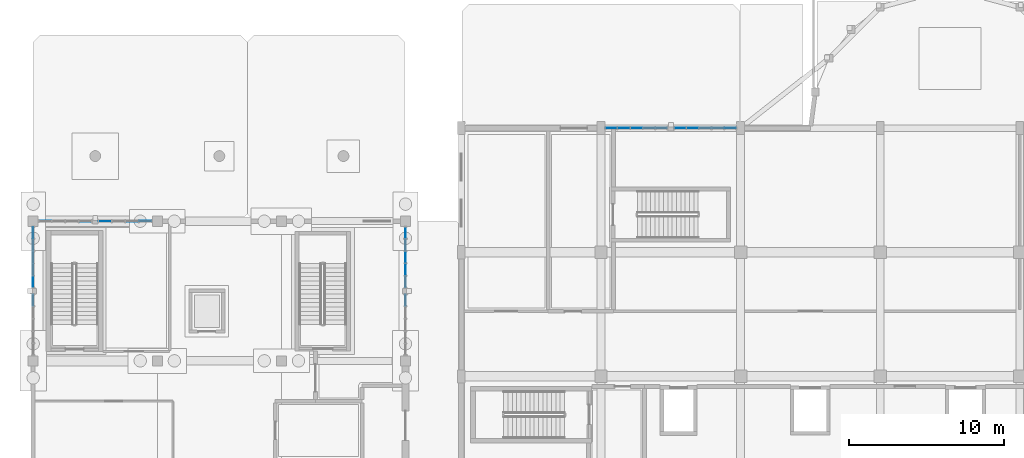
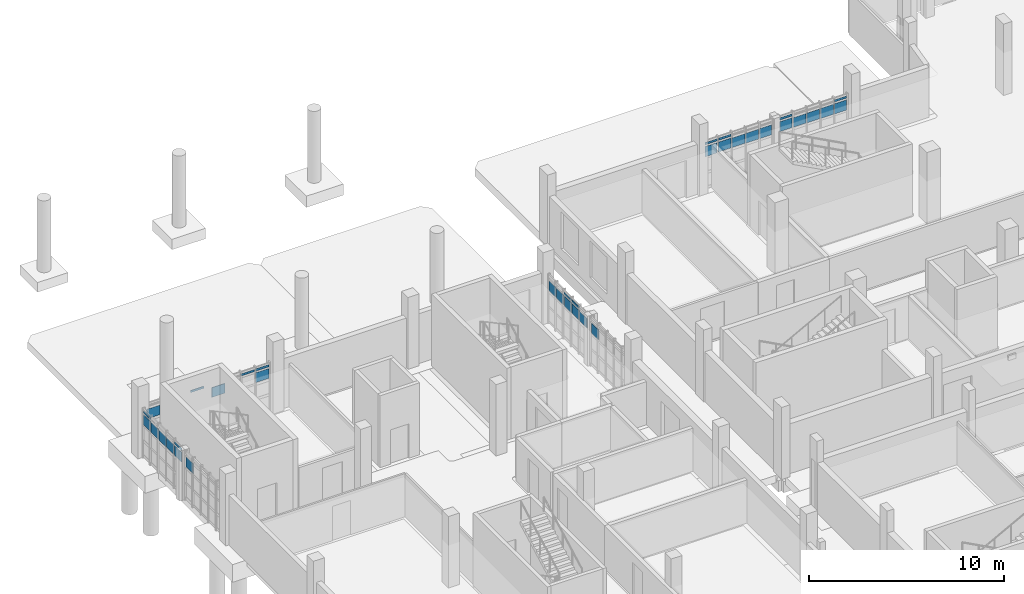
# One storey, part 39 of 63: 36 plates, 8 elements without a shape of their own.
"""IFC4 building model written with IfcOpenShell, lengths in metres."""

from ifc_helpers import new_model, si_unit, direction, frame, origin, origin_2d, place, context, subcontext, project, spatial, rectangle, extrude, material, layer, layer_set, type_object, element, aggregate, save


model = new_model("IFC4")

# Units and contexts
model_context = context("Model", 3, precision=1e-05, world=origin(), true_north=direction((0.0, 1.0)))
body_context = subcontext(model_context, "Body", "Model", "MODEL_VIEW")
ifc_project = project(units=[si_unit("LENGTHUNIT", "METRE"), si_unit("AREAUNIT", "SQUARE_METRE"), si_unit("VOLUMEUNIT", "CUBIC_METRE"), si_unit("PLANEANGLEUNIT", "RADIAN"), si_unit("MASSUNIT", "GRAM", prefix="KILO")], contexts=[model_context])

# Site, building, storey
site_placement = place(None, origin())
site = spatial("IfcSite", under=ifc_project, at=site_placement, CompositionType="ELEMENT")
building_placement = place(site_placement, origin())
building = spatial("IfcBuilding", under=site, at=building_placement, Name="Serraforn Aerial Cableway Station", CompositionType="ELEMENT")
storey_placement = place(building_placement, origin())
storey = spatial("IfcBuildingStorey", under=building, at=storey_placement, Name="L00", CompositionType="ELEMENT", Elevation=0.0)

# Curtain wall, plate
ifc_material_1 = material(Name="Anodised bronze unitised curtain wall")
curtain_wall_type_1 = type_object("IfcCurtainWallType", Name="CW-SYS-10", PredefinedType="USERDEFINED", material=ifc_material_1)
curtain_wall_1_placement = place(storey_placement, origin())
curtain_wall_1 = element("IfcCurtainWall", 1, at=curtain_wall_1_placement, inside=storey, type_object=curtain_wall_type_1, Name="Unitised Curtain Wall CW-W-L00-E4B", ObjectType="UNITISED CURTAIN WALL", PredefinedType="USERDEFINED")
ifc_material_2 = material(Name="Solar-control low-E double glazing", Category="glass")
ifc_layer_1 = layer(ifc_material_2, 0.02587890625)
ifc_layer_set_1 = layer_set([ifc_layer_1], Name="Solar-control low-E double glazing")
plate_type_1 = type_object("IfcPlateType", Name="CW-GLZ-1", PredefinedType="CURTAIN_PANEL", material=ifc_layer_set_1)
plate_1_placement = place(storey_placement, frame((24.0, 35.2685546875, 2.062255859375), z_axis=(0.0, 0.0, 1.0), x_axis=(1.0, 0.0, 0.0)))
plate_1 = element("IfcPlate", 2, at=plate_1_placement, type_object=plate_type_1, Name="Curtain Wall Panel CW-W-L00-E4B-P5-3", PredefinedType="CURTAIN_PANEL", context=body_context, shape_type="SweptSolid", body=[
    extrude(rectangle(XDim=0.02587890625, YDim=0.7109375, at=origin_2d()), origin(), (0.0, 0.0, 1.0), 0.6103515625),
])

curtain_wall_type_2 = type_object("IfcCurtainWallType", Name="CW-SYS-1", PredefinedType="USERDEFINED", material=ifc_material_1)
curtain_wall_2_placement = place(storey_placement, origin())
curtain_wall_2 = element("IfcCurtainWall", 3, at=curtain_wall_2_placement, inside=storey, type_object=curtain_wall_type_2, Name="Unitised Curtain Wall CW-CV-L00-N2A", ObjectType="UNITISED CURTAIN WALL", PredefinedType="USERDEFINED")
plate_2_placement = place(storey_placement, frame((41.70458984375, 42.0, 2.798583984375), z_axis=(0.0, 0.0, 1.0), x_axis=(1.0, 0.0, 0.0)))
plate_2 = element("IfcPlate", 4, at=plate_2_placement, type_object=plate_type_1, Name="Curtain Wall Panel CW-CV-L00-N2A-P5-4", PredefinedType="CURTAIN_PANEL", context=body_context, shape_type="SweptSolid", body=[
    extrude(rectangle(XDim=0.723388671875, YDim=0.02587890625, at=origin_2d()), origin(), (0.0, 0.0, 1.0), 0.138671875),
])

# Curtain wall, plates
curtain_wall_type_3 = type_object("IfcCurtainWallType", Name="CW-SYS-2", PredefinedType="USERDEFINED", material=ifc_material_1)
curtain_wall_3_placement = place(storey_placement, origin())
curtain_wall_3 = element("IfcCurtainWall", 5, at=curtain_wall_3_placement, inside=storey, type_object=curtain_wall_type_3, Name="Unitised Curtain Wall CW-CV-L00-N2B", ObjectType="UNITISED CURTAIN WALL", PredefinedType="USERDEFINED")
plate_3_placement = place(storey_placement, frame((38.07080078125, 42.0, 2.798583984375), z_axis=(0.0, 0.0, 1.0), x_axis=(1.0, 0.0, 0.0)))
plate_3 = element("IfcPlate", 6, at=plate_3_placement, type_object=plate_type_1, Name="Curtain Wall Panel CW-CV-L00-N2B-P4-4", PredefinedType="CURTAIN_PANEL", context=body_context, shape_type="SweptSolid", body=[
    extrude(rectangle(XDim=0.755859375, YDim=0.02587890625, at=origin_2d()), origin(), (0.0, 0.0, 1.0), 0.138671875),
])
plate_4_placement = place(storey_placement, frame((37.27392578125, 42.0, 2.0498046875), z_axis=(0.0, 0.0, 1.0), x_axis=(1.0, 0.0, 0.0)))
plate_4 = element("IfcPlate", 7, at=plate_4_placement, type_object=plate_type_1, Name="Curtain Wall Panel CW-CV-L00-N2B-P5-3", PredefinedType="CURTAIN_PANEL", context=body_context, shape_type="SweptSolid", body=[
    extrude(rectangle(XDim=0.7158203125, YDim=0.02587890625, at=origin_2d()), origin(), (0.0, 0.0, 1.0), 0.6376953125),
])

# Curtain wall, plate
curtain_wall_type_4 = type_object("IfcCurtainWallType", Name="CW-SYS-7", PredefinedType="USERDEFINED", material=ifc_material_1)
curtain_wall_4_placement = place(storey_placement, origin())
curtain_wall_4 = element("IfcCurtainWall", 8, at=curtain_wall_4_placement, inside=storey, type_object=curtain_wall_type_4, Name="Unitised Curtain Wall CW-W-L00-W4A", ObjectType="UNITISED CURTAIN WALL", PredefinedType="USERDEFINED")
ifc_layer_2 = layer(ifc_material_2, 0.028076171875)
ifc_layer_set_2 = layer_set([ifc_layer_2], Name="Solar-control low-E double glazing")
plate_type_2 = type_object("IfcPlateType", Name="CW-GLZ-2", PredefinedType="CURTAIN_PANEL", material=ifc_layer_set_2)
plate_5_placement = place(storey_placement, frame((0.0, 35.26220703125, 2.0498046875), z_axis=(0.0, 0.0, 1.0), x_axis=(1.0, 0.0, 0.0)))
plate_5 = element("IfcPlate", 9, at=plate_5_placement, type_object=plate_type_2, Name="Curtain Wall Panel CW-W-L00-W4A-P1-3", PredefinedType="CURTAIN_PANEL", context=body_context, shape_type="SweptSolid", body=[
    extrude(rectangle(XDim=0.028076171875, YDim=0.703369140625, at=origin_2d()), origin(), (0.0, 0.0, 1.0), 0.6376953125),
])

# Plate
plate_6_placement = place(storey_placement, frame((37.27392578125, 42.0, 2.8037109375), z_axis=(0.0, 0.0, 1.0), x_axis=(1.0, 0.0, 0.0)))
plate_6 = element("IfcPlate", 10, at=plate_6_placement, type_object=plate_type_2, Name="Curtain Wall Panel CW-CV-L00-N2B-P5-4", PredefinedType="CURTAIN_PANEL", context=body_context, shape_type="SweptSolid", body=[
    extrude(rectangle(XDim=0.7158203125, YDim=0.028076171875, at=origin_2d()), origin(), (0.0, 0.0, 1.0), 0.126220703125),
])

ifc_layer_3 = layer(ifc_material_2, 0.030029296875)
ifc_layer_set_3 = layer_set([ifc_layer_3], Name="Solar-control low-E double glazing")
plate_type_3 = type_object("IfcPlateType", Name="CW-GLZ-3", PredefinedType="CURTAIN_PANEL", material=ifc_layer_set_3)
plate_7_placement = place(storey_placement, frame((0.0, 35.26220703125, 2.8037109375), z_axis=(0.0, 0.0, 1.0), x_axis=(1.0, 0.0, 0.0)))
plate_7 = element("IfcPlate", 11, at=plate_7_placement, type_object=plate_type_3, Name="Curtain Wall Panel CW-W-L00-W4A-P1-4", PredefinedType="CURTAIN_PANEL", context=body_context, shape_type="SweptSolid", body=[
    extrude(rectangle(XDim=0.030029296875, YDim=0.703369140625, at=origin_2d()), origin(), (0.0, 0.0, 1.0), 0.126220703125),
])

plate_8_placement = place(storey_placement, frame((0.0, 34.47900390625, 2.0546875), z_axis=(0.0, 0.0, 1.0), x_axis=(1.0, 0.0, 0.0)))
plate_8 = element("IfcPlate", 12, at=plate_8_placement, type_object=plate_type_3, Name="Curtain Wall Panel CW-W-L00-W4A-P2-3", PredefinedType="CURTAIN_PANEL", context=body_context, shape_type="SweptSolid", body=[
    extrude(rectangle(XDim=0.030029296875, YDim=0.73095703125, at=origin_2d()), origin(), (0.0, 0.0, 1.0), 0.625244140625),
])

# Curtain wall, plate
curtain_wall_type_5 = type_object("IfcCurtainWallType", Name="CW-SYS-8", PredefinedType="USERDEFINED", material=ifc_material_1)
curtain_wall_5_placement = place(storey_placement, origin())
curtain_wall_5 = element("IfcCurtainWall", 13, at=curtain_wall_5_placement, inside=storey, type_object=curtain_wall_type_5, Name="Unitised Curtain Wall CW-W-L00-W4B", ObjectType="UNITISED CURTAIN WALL", PredefinedType="USERDEFINED")
plate_9_placement = place(storey_placement, frame((0.0, 30.904052734375, 2.0546875), z_axis=(0.0, 0.0, 1.0), x_axis=(1.0, 0.0, 0.0)))
plate_9 = element("IfcPlate", 14, at=plate_9_placement, type_object=plate_type_3, Name="Curtain Wall Panel CW-W-L00-W4B-P1-3", PredefinedType="CURTAIN_PANEL", context=body_context, shape_type="SweptSolid", body=[
    extrude(rectangle(XDim=0.030029296875, YDim=0.69580078125, at=origin_2d()), origin(), (0.0, 0.0, 1.0), 0.625244140625),
])
aggregate(curtain_wall_5, [plate_9])

curtain_wall_6_placement = place(storey_placement, origin())
curtain_wall_6 = element("IfcCurtainWall", 15, at=curtain_wall_6_placement, inside=storey, type_object=curtain_wall_type_2, Name="Unitised Curtain Wall CW-W-L00-N1A", ObjectType="UNITISED CURTAIN WALL", PredefinedType="USERDEFINED")
ifc_layer_4 = layer(ifc_material_2, 0.031982421875)
ifc_layer_set_4 = layer_set([ifc_layer_4], Name="Solar-control low-E double glazing")
plate_type_4 = type_object("IfcPlateType", Name="CW-GLZ-4", PredefinedType="CURTAIN_PANEL", material=ifc_layer_set_4)
plate_10_placement = place(storey_placement, frame((7.22607421875, 36.0, 2.077392578125), z_axis=(0.0, 0.0, 1.0), x_axis=(1.0, 0.0, 0.0)))
plate_10 = element("IfcPlate", 16, at=plate_10_placement, type_object=plate_type_4, Name="Curtain Wall Panel CW-W-L00-N1A-P1-3", PredefinedType="CURTAIN_PANEL", context=body_context, shape_type="SweptSolid", body=[
    extrude(rectangle(XDim=0.78564453125, YDim=0.031982421875, at=origin_2d()), origin(), (0.0, 0.0, 1.0), 0.615234375),
])

# Plate
plate_11_placement = place(storey_placement, frame((0.0, 33.673583984375, 2.062255859375), z_axis=(0.0, 0.0, 1.0), x_axis=(1.0, 0.0, 0.0)))
plate_11 = element("IfcPlate", 17, at=plate_11_placement, type_object=plate_type_4, Name="Curtain Wall Panel CW-W-L00-W4A-P3-3", PredefinedType="CURTAIN_PANEL", context=body_context, shape_type="SweptSolid", body=[
    extrude(rectangle(XDim=0.031982421875, YDim=0.73828125, at=origin_2d()), origin(), (0.0, 0.0, 1.0), 0.6103515625),
])

plate_12_placement = place(storey_placement, frame((44.9296875, 42.0, 2.0498046875), z_axis=(0.0, 0.0, 1.0), x_axis=(1.0, 0.0, 0.0)))
plate_12 = element("IfcPlate", 18, at=plate_12_placement, type_object=plate_type_4, Name="Curtain Wall Panel CW-CV-L00-N2A-P1-3", PredefinedType="CURTAIN_PANEL", context=body_context, shape_type="SweptSolid", body=[
    extrude(rectangle(XDim=0.718505859375, YDim=0.031982421875, at=origin_2d()), origin(), (0.0, 0.0, 1.0), 0.6376953125),
])

ifc_layer_5 = layer(ifc_material_2, 0.033935546875)
ifc_layer_set_5 = layer_set([ifc_layer_5], Name="Solar-control low-E double glazing")
plate_type_5 = type_object("IfcPlateType", Name="CW-GLZ-5", PredefinedType="CURTAIN_PANEL", material=ifc_layer_set_5)
plate_13_placement = place(storey_placement, frame((7.22607421875, 36.0, 2.798583984375), z_axis=(0.0, 0.0, 1.0), x_axis=(1.0, 0.0, 0.0)))
plate_13 = element("IfcPlate", 19, at=plate_13_placement, type_object=plate_type_5, Name="Curtain Wall Panel CW-W-L00-N1A-P1-4", PredefinedType="CURTAIN_PANEL", context=body_context, shape_type="SweptSolid", body=[
    extrude(rectangle(XDim=0.78564453125, YDim=0.033935546875, at=origin_2d()), origin(), (0.0, 0.0, 1.0), 0.138671875),
])

plate_14_placement = place(storey_placement, frame((0.0, 32.88037109375, 2.06982421875), z_axis=(0.0, 0.0, 1.0), x_axis=(1.0, 0.0, 0.0)))
plate_14 = element("IfcPlate", 20, at=plate_14_placement, type_object=plate_type_5, Name="Curtain Wall Panel CW-W-L00-W4A-P4-3", PredefinedType="CURTAIN_PANEL", context=body_context, shape_type="SweptSolid", body=[
    extrude(rectangle(XDim=0.033935546875, YDim=0.745849609375, at=origin_2d()), origin(), (0.0, 0.0, 1.0), 0.59521484375),
])

plate_15_placement = place(storey_placement, frame((24.0, 32.09228515625, 2.06982421875), z_axis=(0.0, 0.0, 1.0), x_axis=(1.0, 0.0, 0.0)))
plate_15 = element("IfcPlate", 21, at=plate_15_placement, type_object=plate_type_5, Name="Curtain Wall Panel CW-W-L00-E4B-P1-3", PredefinedType="CURTAIN_PANEL", context=body_context, shape_type="SweptSolid", body=[
    extrude(rectangle(XDim=0.033935546875, YDim=0.718505859375, at=origin_2d()), origin(), (0.0, 0.0, 1.0), 0.59521484375),
])

plate_16_placement = place(storey_placement, frame((44.9296875, 42.0, 2.8037109375), z_axis=(0.0, 0.0, 1.0), x_axis=(1.0, 0.0, 0.0)))
plate_16 = element("IfcPlate", 22, at=plate_16_placement, type_object=plate_type_5, Name="Curtain Wall Panel CW-CV-L00-N2A-P1-4", PredefinedType="CURTAIN_PANEL", context=body_context, shape_type="SweptSolid", body=[
    extrude(rectangle(XDim=0.718505859375, YDim=0.033935546875, at=origin_2d()), origin(), (0.0, 0.0, 1.0), 0.126220703125),
])

plate_17_placement = place(storey_placement, frame((44.131591796875, 42.0, 2.0546875), z_axis=(0.0, 0.0, 1.0), x_axis=(1.0, 0.0, 0.0)))
plate_17 = element("IfcPlate", 23, at=plate_17_placement, type_object=plate_type_5, Name="Curtain Wall Panel CW-CV-L00-N2A-P2-3", PredefinedType="CURTAIN_PANEL", context=body_context, shape_type="SweptSolid", body=[
    extrude(rectangle(XDim=0.745849609375, YDim=0.033935546875, at=origin_2d()), origin(), (0.0, 0.0, 1.0), 0.625244140625),
])

plate_18_placement = place(storey_placement, frame((40.49658203125, 42.0, 2.0546875), z_axis=(0.0, 0.0, 1.0), x_axis=(1.0, 0.0, 0.0)))
plate_18 = element("IfcPlate", 24, at=plate_18_placement, type_object=plate_type_5, Name="Curtain Wall Panel CW-CV-L00-N2B-P1-3", PredefinedType="CURTAIN_PANEL", context=body_context, shape_type="SweptSolid", body=[
    extrude(rectangle(XDim=0.7109375, YDim=0.033935546875, at=origin_2d()), origin(), (0.0, 0.0, 1.0), 0.625244140625),
])

ifc_layer_6 = layer(ifc_material_2, 0.035888671875)
ifc_layer_set_6 = layer_set([ifc_layer_6], Name="Solar-control low-E double glazing")
plate_type_6 = type_object("IfcPlateType", Name="CW-GLZ-6", PredefinedType="CURTAIN_PANEL", material=ifc_layer_set_6)
plate_19_placement = place(storey_placement, frame((6.366943359375, 36.0, 2.8037109375), z_axis=(0.0, 0.0, 1.0), x_axis=(1.0, 0.0, 0.0)))
plate_19 = element("IfcPlate", 25, at=plate_19_placement, type_object=plate_type_6, Name="Curtain Wall Panel CW-W-L00-N1A-P2-4", PredefinedType="CURTAIN_PANEL", context=body_context, shape_type="SweptSolid", body=[
    extrude(rectangle(XDim=0.810791015625, YDim=0.035888671875, at=origin_2d()), origin(), (0.0, 0.0, 1.0), 0.126220703125),
])

# Curtain wall, plate
curtain_wall_7_placement = place(storey_placement, origin())
curtain_wall_7 = element("IfcCurtainWall", 26, at=curtain_wall_7_placement, inside=storey, type_object=curtain_wall_type_3, Name="Unitised Curtain Wall CW-W-L00-N1B", ObjectType="UNITISED CURTAIN WALL", PredefinedType="USERDEFINED")
plate_20_placement = place(storey_placement, frame((3.367919921875, 36.0, 2.8037109375), z_axis=(0.0, 0.0, 1.0), x_axis=(1.0, 0.0, 0.0)))
plate_20 = element("IfcPlate", 27, at=plate_20_placement, type_object=plate_type_6, Name="Curtain Wall Panel CW-W-L00-N1B-P1-4", PredefinedType="CURTAIN_PANEL", context=body_context, shape_type="SweptSolid", body=[
    extrude(rectangle(XDim=0.7783203125, YDim=0.035888671875, at=origin_2d()), origin(), (0.0, 0.0, 1.0), 0.126220703125),
])

# Plate
plate_21_placement = place(storey_placement, frame((0.0, 32.09716796875, 2.077392578125), z_axis=(0.0, 0.0, 1.0), x_axis=(1.0, 0.0, 0.0)))
plate_21 = element("IfcPlate", 28, at=plate_21_placement, type_object=plate_type_6, Name="Curtain Wall Panel CW-W-L00-W4A-P5-3", PredefinedType="CURTAIN_PANEL", context=body_context, shape_type="SweptSolid", body=[
    extrude(rectangle(XDim=0.035888671875, YDim=0.70849609375, at=origin_2d()), origin(), (0.0, 0.0, 1.0), 0.615234375),
])

plate_22_placement = place(storey_placement, frame((24.0, 32.8779296875, 2.077392578125), z_axis=(0.0, 0.0, 1.0), x_axis=(1.0, 0.0, 0.0)))
plate_22 = element("IfcPlate", 29, at=plate_22_placement, type_object=plate_type_6, Name="Curtain Wall Panel CW-W-L00-E4B-P2-3", PredefinedType="CURTAIN_PANEL", context=body_context, shape_type="SweptSolid", body=[
    extrude(rectangle(XDim=0.035888671875, YDim=0.740966796875, at=origin_2d()), origin(), (0.0, 0.0, 1.0), 0.615234375),
])

plate_23_placement = place(storey_placement, frame((43.31103515625, 42.0, 2.062255859375), z_axis=(0.0, 0.0, 1.0), x_axis=(1.0, 0.0, 0.0)))
plate_23 = element("IfcPlate", 30, at=plate_23_placement, type_object=plate_type_6, Name="Curtain Wall Panel CW-CV-L00-N2A-P3-3", PredefinedType="CURTAIN_PANEL", context=body_context, shape_type="SweptSolid", body=[
    extrude(rectangle(XDim=0.75341796875, YDim=0.035888671875, at=origin_2d()), origin(), (0.0, 0.0, 1.0), 0.6103515625),
])

plate_24_placement = place(storey_placement, frame((39.693359375, 42.0, 2.062255859375), z_axis=(0.0, 0.0, 1.0), x_axis=(1.0, 0.0, 0.0)))
plate_24 = element("IfcPlate", 31, at=plate_24_placement, type_object=plate_type_6, Name="Curtain Wall Panel CW-CV-L00-N2B-P2-3", PredefinedType="CURTAIN_PANEL", context=body_context, shape_type="SweptSolid", body=[
    extrude(rectangle(XDim=0.75341796875, YDim=0.035888671875, at=origin_2d()), origin(), (0.0, 0.0, 1.0), 0.6103515625),
])

ifc_layer_7 = layer(ifc_material_2, 0.029052734375)
ifc_layer_set_7 = layer_set([ifc_layer_7], Name="Solar-control low-E double glazing")
plate_type_7 = type_object("IfcPlateType", Name="CW-GLZ-7", PredefinedType="CURTAIN_PANEL", material=ifc_layer_set_7)
plate_25_placement = place(storey_placement, frame((4.6259765625, 36.0, 2.062255859375), z_axis=(0.0, 0.0, 1.0), x_axis=(1.0, 0.0, 0.0)))
plate_25 = element("IfcPlate", 32, at=plate_25_placement, type_object=plate_type_7, Name="Curtain Wall Panel CW-W-L00-N1A-P4-3", PredefinedType="CURTAIN_PANEL", context=body_context, shape_type="SweptSolid", body=[
    extrude(rectangle(XDim=0.78564453125, YDim=0.029052734375, at=origin_2d()), origin(), (0.0, 0.0, 1.0), 0.6103515625),
])

aggregate(curtain_wall_6, [plate_10, plate_13, plate_19, plate_25])

plate_26_placement = place(storey_placement, frame((0.0, 32.09716796875, 2.798583984375), z_axis=(0.0, 0.0, 1.0), x_axis=(1.0, 0.0, 0.0)))
plate_26 = element("IfcPlate", 33, at=plate_26_placement, type_object=plate_type_7, Name="Curtain Wall Panel CW-W-L00-W4A-P5-4", PredefinedType="CURTAIN_PANEL", context=body_context, shape_type="SweptSolid", body=[
    extrude(rectangle(XDim=0.029052734375, YDim=0.70849609375, at=origin_2d()), origin(), (0.0, 0.0, 1.0), 0.138671875),
])

aggregate(curtain_wall_4, [plate_5, plate_7, plate_8, plate_11, plate_14, plate_21, plate_26])

plate_27_placement = place(storey_placement, frame((24.0, 32.8779296875, 2.798583984375), z_axis=(0.0, 0.0, 1.0), x_axis=(1.0, 0.0, 0.0)))
plate_27 = element("IfcPlate", 34, at=plate_27_placement, type_object=plate_type_7, Name="Curtain Wall Panel CW-W-L00-E4B-P2-4", PredefinedType="CURTAIN_PANEL", context=body_context, shape_type="SweptSolid", body=[
    extrude(rectangle(XDim=0.029052734375, YDim=0.740966796875, at=origin_2d()), origin(), (0.0, 0.0, 1.0), 0.138671875),
])

plate_28_placement = place(storey_placement, frame((24.0, 33.67724609375, 2.0498046875), z_axis=(0.0, 0.0, 1.0), x_axis=(1.0, 0.0, 0.0)))
plate_28 = element("IfcPlate", 35, at=plate_28_placement, type_object=plate_type_7, Name="Curtain Wall Panel CW-W-L00-E4B-P3-3", PredefinedType="CURTAIN_PANEL", context=body_context, shape_type="SweptSolid", body=[
    extrude(rectangle(XDim=0.029052734375, YDim=0.73583984375, at=origin_2d()), origin(), (0.0, 0.0, 1.0), 0.6376953125),
])

plate_29_placement = place(storey_placement, frame((42.5029296875, 42.0, 2.06982421875), z_axis=(0.0, 0.0, 1.0), x_axis=(1.0, 0.0, 0.0)))
plate_29 = element("IfcPlate", 36, at=plate_29_placement, type_object=plate_type_7, Name="Curtain Wall Panel CW-CV-L00-N2A-P4-3", PredefinedType="CURTAIN_PANEL", context=body_context, shape_type="SweptSolid", body=[
    extrude(rectangle(XDim=0.760986328125, YDim=0.029052734375, at=origin_2d()), origin(), (0.0, 0.0, 1.0), 0.59521484375),
])

plate_30_placement = place(storey_placement, frame((38.88525390625, 42.0, 2.06982421875), z_axis=(0.0, 0.0, 1.0), x_axis=(1.0, 0.0, 0.0)))
plate_30 = element("IfcPlate", 37, at=plate_30_placement, type_object=plate_type_7, Name="Curtain Wall Panel CW-CV-L00-N2B-P3-3", PredefinedType="CURTAIN_PANEL", context=body_context, shape_type="SweptSolid", body=[
    extrude(rectangle(XDim=0.760986328125, YDim=0.029052734375, at=origin_2d()), origin(), (0.0, 0.0, 1.0), 0.59521484375),
])

ifc_layer_8 = layer(ifc_material_2, 0.031005859375)
ifc_layer_set_8 = layer_set([ifc_layer_8], Name="Solar-control low-E double glazing")
plate_type_8 = type_object("IfcPlateType", Name="CW-GLZ-8", PredefinedType="CURTAIN_PANEL", material=ifc_layer_set_8)
plate_31_placement = place(storey_placement, frame((0.7763671875, 36.0, 2.06982421875), z_axis=(0.0, 0.0, 1.0), x_axis=(1.0, 0.0, 0.0)))
plate_31 = element("IfcPlate", 38, at=plate_31_placement, type_object=plate_type_8, Name="Curtain Wall Panel CW-W-L00-N1B-P4-3", PredefinedType="CURTAIN_PANEL", context=body_context, shape_type="SweptSolid", body=[
    extrude(rectangle(XDim=0.790771484375, YDim=0.031005859375, at=origin_2d()), origin(), (0.0, 0.0, 1.0), 0.59521484375),
])

aggregate(curtain_wall_7, [plate_20, plate_31])

# Curtain wall, plate
curtain_wall_type_6 = type_object("IfcCurtainWallType", Name="CW-SYS-9", PredefinedType="USERDEFINED", material=ifc_material_1)
curtain_wall_8_placement = place(storey_placement, origin())
curtain_wall_8 = element("IfcCurtainWall", 39, at=curtain_wall_8_placement, inside=storey, type_object=curtain_wall_type_6, Name="Unitised Curtain Wall CW-W-L00-E4A", ObjectType="UNITISED CURTAIN WALL", PredefinedType="USERDEFINED")
plate_32_placement = place(storey_placement, frame((24.0, 30.900390625, 2.0546875), z_axis=(0.0, 0.0, 1.0), x_axis=(1.0, 0.0, 0.0)))
plate_32 = element("IfcPlate", 40, at=plate_32_placement, type_object=plate_type_8, Name="Curtain Wall Panel CW-W-L00-E4A-P5-3", PredefinedType="CURTAIN_PANEL", context=body_context, shape_type="SweptSolid", body=[
    extrude(rectangle(XDim=0.031005859375, YDim=0.693359375, at=origin_2d()), origin(), (0.0, 0.0, 1.0), 0.625244140625),
])
aggregate(curtain_wall_8, [plate_32])

# Plate
plate_33_placement = place(storey_placement, frame((24.0, 33.67724609375, 2.8037109375), z_axis=(0.0, 0.0, 1.0), x_axis=(1.0, 0.0, 0.0)))
plate_33 = element("IfcPlate", 41, at=plate_33_placement, type_object=plate_type_8, Name="Curtain Wall Panel CW-W-L00-E4B-P3-4", PredefinedType="CURTAIN_PANEL", context=body_context, shape_type="SweptSolid", body=[
    extrude(rectangle(XDim=0.031005859375, YDim=0.73583984375, at=origin_2d()), origin(), (0.0, 0.0, 1.0), 0.126220703125),
])

plate_34_placement = place(storey_placement, frame((24.0, 34.4765625, 2.0546875), z_axis=(0.0, 0.0, 1.0), x_axis=(1.0, 0.0, 0.0)))
plate_34 = element("IfcPlate", 42, at=plate_34_placement, type_object=plate_type_8, Name="Curtain Wall Panel CW-W-L00-E4B-P4-3", PredefinedType="CURTAIN_PANEL", context=body_context, shape_type="SweptSolid", body=[
    extrude(rectangle(XDim=0.031005859375, YDim=0.73095703125, at=origin_2d()), origin(), (0.0, 0.0, 1.0), 0.625244140625),
])

aggregate(curtain_wall_1, [plate_15, plate_22, plate_27, plate_28, plate_33, plate_34, plate_1])

plate_35_placement = place(storey_placement, frame((41.70458984375, 42.0, 2.077392578125), z_axis=(0.0, 0.0, 1.0), x_axis=(1.0, 0.0, 0.0)))
plate_35 = element("IfcPlate", 43, at=plate_35_placement, type_object=plate_type_8, Name="Curtain Wall Panel CW-CV-L00-N2A-P5-3", PredefinedType="CURTAIN_PANEL", context=body_context, shape_type="SweptSolid", body=[
    extrude(rectangle(XDim=0.723388671875, YDim=0.031005859375, at=origin_2d()), origin(), (0.0, 0.0, 1.0), 0.615234375),
])

aggregate(curtain_wall_2, [plate_12, plate_16, plate_17, plate_23, plate_29, plate_35, plate_2])

plate_36_placement = place(storey_placement, frame((38.07080078125, 42.0, 2.077392578125), z_axis=(0.0, 0.0, 1.0), x_axis=(1.0, 0.0, 0.0)))
plate_36 = element("IfcPlate", 44, at=plate_36_placement, type_object=plate_type_8, Name="Curtain Wall Panel CW-CV-L00-N2B-P4-3", PredefinedType="CURTAIN_PANEL", context=body_context, shape_type="SweptSolid", body=[
    extrude(rectangle(XDim=0.755859375, YDim=0.031005859375, at=origin_2d()), origin(), (0.0, 0.0, 1.0), 0.615234375),
])

aggregate(curtain_wall_3, [plate_18, plate_24, plate_30, plate_36, plate_3, plate_4, plate_6])

save(model, "model.ifc")
